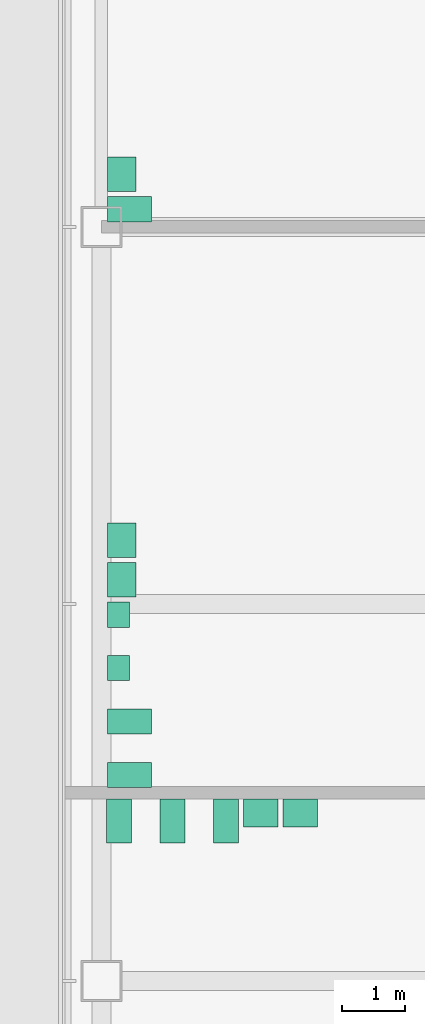
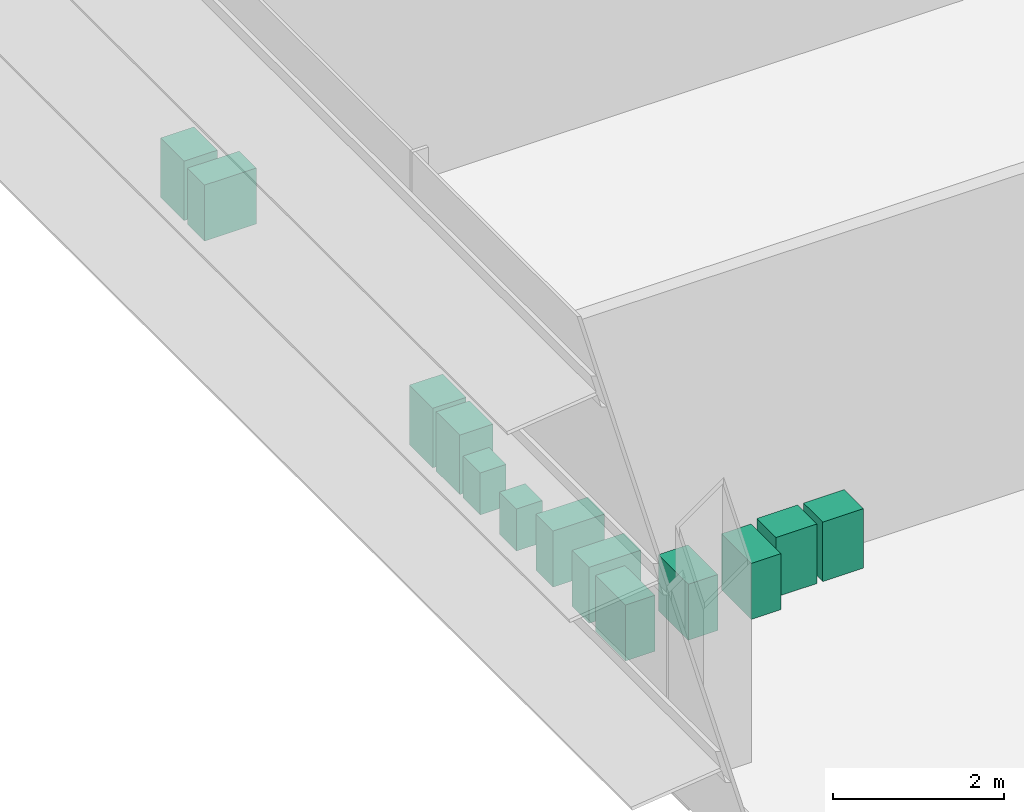
# One storey, part 25 of 25: 13 sanitary terminals.
"""IFC4 building model written with IfcOpenShell, lengths in metres."""

from ifc_helpers import new_model, si_unit, direction, frame, origin, origin_2d, place, context, subcontext, project, spatial, rectangle, extrude, element, save


model = new_model("IFC4")

# Units and contexts
model_context = context("Model", 3, precision=1e-05, world=origin(), true_north=direction((0.0, 1.0)))
body_context = subcontext(model_context, "Body", "Model", "MODEL_VIEW")
ifc_project = project(units=[si_unit("LENGTHUNIT", "METRE"), si_unit("AREAUNIT", "SQUARE_METRE"), si_unit("VOLUMEUNIT", "CUBIC_METRE"), si_unit("PLANEANGLEUNIT", "RADIAN"), si_unit("MASSUNIT", "GRAM", prefix="KILO")], contexts=[model_context])

# Site, building, storey
site_placement = place(None, origin())
site = spatial("IfcSite", under=ifc_project, at=site_placement, CompositionType="ELEMENT")
building_placement = place(site_placement, origin())
building = spatial("IfcBuilding", under=site, at=building_placement, Name="Sorahane Residences", CompositionType="ELEMENT")
storey_placement = place(building_placement, frame((0.0, 0.0, 210.0)))
storey = spatial("IfcBuildingStorey", under=building, at=storey_placement, Name="L49", CompositionType="ELEMENT", Elevation=210.0)

# Sanitary terminals
for number, where, z_axis, x_axis, name in (
    (1, (-11.719970703125, 26.550048828125, 0.0), (0.0, 0.0, 1.0), (1.0, 0.0, 0.0), "WC pan Women's toilets 49"),
    (2, (-10.8701171875, 26.550048828125, 0.0), (0.0, 0.0, 1.0), (1.0, 0.0, 0.0), "WC pan Women's toilets 49"),
    (3, (-10.02001953125, 26.550048828125, 0.0), (0.0, 0.0, 1.0), (1.0, 0.0, 0.0), "WC pan Women's toilets 49"),
):
    element("IfcSanitaryTerminal", number, at=place(storey_placement, frame(where, z_axis=z_axis, x_axis=x_axis)), inside=storey, Name=name, PredefinedType="TOILETPAN", context=body_context, shape_type="SweptSolid", body=[
        extrude(rectangle(XDim=0.39990234375, YDim=0.699951171875, at=origin_2d()), origin(), (0.0, 0.0, 1.0), 0.800048828125),
    ])
for number, where, z_axis, x_axis, name in (
    (4, (-9.465087890625, 26.675048828125, 0.0), (0.0, 0.0, 1.0), (1.0, 0.0, 0.0), "Wash basin Women's toilets 49"),
    (5, (-8.8349609375, 26.675048828125, 0.0), (0.0, 0.0, 1.0), (1.0, 0.0, 0.0), "Wash basin Women's toilets 49"),
):
    element("IfcSanitaryTerminal", number, at=place(storey_placement, frame(where, z_axis=z_axis, x_axis=x_axis)), inside=storey, Name=name, PredefinedType="WASHHANDBASIN", context=body_context, shape_type="SweptSolid", body=[
        extrude(rectangle(XDim=0.550048828125, YDim=0.449951171875, at=origin_2d()), origin(), (0.0, 0.0, 1.0), 0.85009765625),
    ])
for number, where, z_axis, x_axis, name in (
    (6, (-11.550048828125, 27.280029296875, 0.0), (0.0, 0.0, 1.0), (0.0, 1.0, 0.0), "WC pan Men's toilets 49"),
    (7, (-11.550048828125, 28.1298828125, 0.0), (0.0, 0.0, 1.0), (0.0, 1.0, 0.0), "WC pan Men's toilets 49"),
):
    element("IfcSanitaryTerminal", number, at=place(storey_placement, frame(where, z_axis=z_axis, x_axis=x_axis)), inside=storey, Name=name, PredefinedType="TOILETPAN", context=body_context, shape_type="SweptSolid", body=[
        extrude(rectangle(XDim=0.39990234375, YDim=0.699951171875, at=origin_2d()), origin(), (0.0, 0.0, 1.0), 0.800048828125),
    ])
for number, where, z_axis, x_axis, name in (
    (8, (-11.72509765625, 28.97998046875, 0.0), (0.0, 0.0, 1.0), (0.0, 1.0, 0.0), "Urinal Men's toilets 49"),
    (9, (-11.72509765625, 29.830078125, 0.0), (0.0, 0.0, 1.0), (0.0, 1.0, 0.0), "Urinal Men's toilets 49"),
):
    element("IfcSanitaryTerminal", number, at=place(storey_placement, frame(where, z_axis=z_axis, x_axis=x_axis)), inside=storey, Name=name, PredefinedType="URINAL", context=body_context, shape_type="SweptSolid", body=[
        extrude(rectangle(XDim=0.39990234375, YDim=0.35009765625, at=origin_2d()), origin(), (0.0, 0.0, 1.0), 0.60009765625),
    ])
for number, where, z_axis, x_axis, name in (
    (10, (-11.675048828125, 30.385009765625, 0.0), (0.0, 0.0, 1.0), (0.0, 1.0, 0.0), "Wash basin Men's toilets 49"),
    (11, (-11.675048828125, 31.014892578125, 0.0), (0.0, 0.0, 1.0), (0.0, 1.0, 0.0), "Wash basin Men's toilets 49"),
):
    element("IfcSanitaryTerminal", number, at=place(storey_placement, frame(where, z_axis=z_axis, x_axis=x_axis)), inside=storey, Name=name, PredefinedType="WASHHANDBASIN", context=body_context, shape_type="SweptSolid", body=[
        extrude(rectangle(XDim=0.550048828125, YDim=0.449951171875, at=origin_2d()), origin(), (0.0, 0.0, 1.0), 0.85009765625),
    ])
sanitary_terminal_1_placement = place(storey_placement, frame((-11.550048828125, 36.280029296875, 0.0), z_axis=(0.0, 0.0, 1.0), x_axis=(0.0, 1.0, 0.0)))
element("IfcSanitaryTerminal", 12, at=sanitary_terminal_1_placement, inside=storey, Name="WC pan Accessible toilets 49", PredefinedType="TOILETPAN", context=body_context, shape_type="SweptSolid", body=[
    extrude(rectangle(XDim=0.39990234375, YDim=0.699951171875, at=origin_2d()), origin(), (0.0, 0.0, 1.0), 0.800048828125),
])
sanitary_terminal_2_placement = place(storey_placement, frame((-11.675048828125, 36.8349609375, 0.0), z_axis=(0.0, 0.0, 1.0), x_axis=(0.0, 1.0, 0.0)))
element("IfcSanitaryTerminal", 13, at=sanitary_terminal_2_placement, inside=storey, Name="Wash basin Accessible toilets 49", PredefinedType="WASHHANDBASIN", context=body_context, shape_type="SweptSolid", body=[
    extrude(rectangle(XDim=0.550048828125, YDim=0.449951171875, at=origin_2d()), origin(), (0.0, 0.0, 1.0), 0.85009765625),
])

save(model, "model.ifc")
